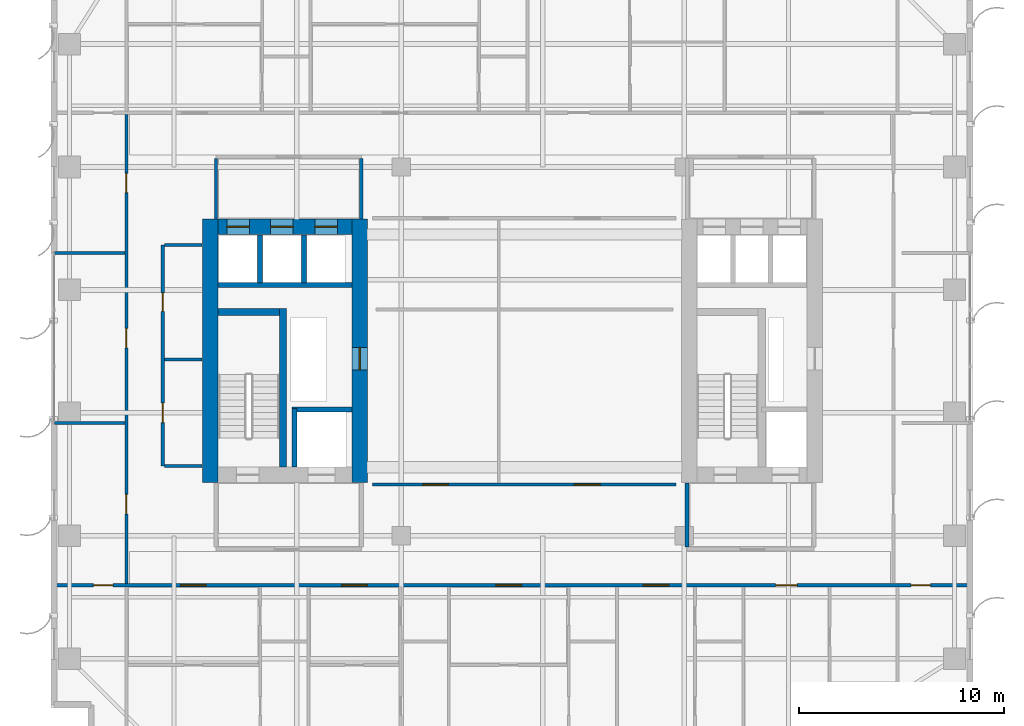
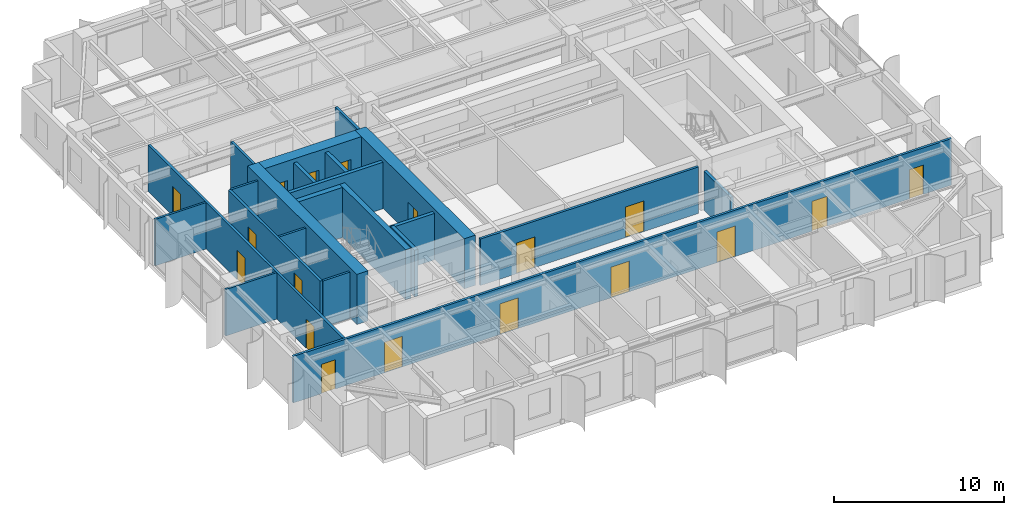
# One storey, part 14 of 22: 22 walls, 18 doors, 18 openings.
"""IFC4 building model written with IfcOpenShell, lengths in metres."""

from ifc_helpers import new_model, si_unit, direction, frame, frame_2d, origin, place, context, subcontext, project, spatial, rectangle, extrude, source, transform, mapped, material, layer, layer_set, type_object, element, fill, save


model = new_model("IFC4")

# Units and contexts
model_context = context("Model", 3, precision=1e-05, world=origin(), true_north=direction((0.0, 1.0)))
body_context = subcontext(model_context, "Body", "Model", "MODEL_VIEW")
ifc_project = project(units=[si_unit("LENGTHUNIT", "METRE"), si_unit("AREAUNIT", "SQUARE_METRE"), si_unit("VOLUMEUNIT", "CUBIC_METRE"), si_unit("PLANEANGLEUNIT", "RADIAN"), si_unit("MASSUNIT", "GRAM", prefix="KILO")], contexts=[model_context])

# Site, building, storey
site_placement = place(None, origin())
site = spatial("IfcSite", under=ifc_project, at=site_placement, CompositionType="ELEMENT")
building_placement = place(site_placement, origin())
building = spatial("IfcBuilding", under=site, at=building_placement, Name="Khoralis Quay Care Tower", CompositionType="ELEMENT")
storey_placement = place(building_placement, frame((0.0, 0.0, 101.699951171875)))
storey = spatial("IfcBuildingStorey", under=building, at=storey_placement, Name="L26", CompositionType="ELEMENT", Elevation=101.699951171875)

# Walls
ifc_material_1 = material(Name="Gypsum plasterboard on acoustic metal stud")
ifc_layer_1 = layer(ifc_material_1, 0.199951171875)
ifc_layer_set_1 = layer_set([ifc_layer_1], Name="Gypsum plasterboard on acoustic metal stud")
wall_type_1 = type_object("IfcWallType", Name="WL-COMP-200", PredefinedType="PARTITIONING", material=ifc_layer_set_1)
wall_1_placement = place(storey_placement, frame((31.050048828125, 11.445068359375, 0.0), z_axis=(0.0, 0.0, 1.0), x_axis=(0.0, 1.0, 0.0)))
element("IfcWall", 1, at=wall_1_placement, inside=storey, type_object=wall_type_1, Name="L26 East Firefighting Lobby West Wall", PredefinedType="PARTITIONING", context=body_context, shape_type="SweptSolid", body=[
    extrude(rectangle(XDim=3.135009765625, YDim=0.199951171875, at=frame_2d((1.5673828125, 0.0))), origin(), (0.0, 0.0, 1.0), 2.796142578125),
])
ifc_material_2 = material(Name="Concrete C80/95", Category="concrete")
ifc_layer_2 = layer(ifc_material_2, 0.75)
ifc_layer_set_2 = layer_set([ifc_layer_2], Name="Concrete C80/95")
wall_type_2 = type_object("IfcWallType", Name="WL-CORE-750", PredefinedType="SHEAR", material=ifc_layer_set_2)
wall_2_placement = place(storey_placement, frame((7.77490234375, 14.60009765625, 0.0), z_axis=(0.0, 0.0, 1.0), x_axis=(0.0, 1.0, 0.0)))
element("IfcWall", 2, at=wall_2_placement, inside=storey, type_object=wall_type_2, Name="L26 WCORE West Shear Wall", PredefinedType="SHEAR", context=body_context, shape_type="SweptSolid", body=[
    extrude(rectangle(XDim=12.849853515625, YDim=0.75, at=frame_2d((6.4248046875, 0.0))), origin(), (0.0, 0.0, 1.0), 3.60009765625),
])

# Wall, opening, door
wall_3_placement = place(storey_placement, frame((15.074951171875, 14.60009765625, 0.0), z_axis=(0.0, 0.0, 1.0), x_axis=(0.0, 1.0, 0.0)))
wall_3 = element("IfcWall", 3, at=wall_3_placement, inside=storey, type_object=wall_type_2, Name="L26 WCORE East Shear Wall", PredefinedType="SHEAR", context=body_context, shape_type="SweptSolid", body=[
    extrude(rectangle(XDim=12.849853515625, YDim=0.75, at=frame_2d((6.4248046875, 0.0))), origin(), (0.0, 0.0, 1.0), 3.60009765625),
])
opening_1_placement = place(wall_3_placement, frame((5.5, 0.0, 0.0)))
opening_1 = element("IfcOpeningElement", 4, at=opening_1_placement, cuts=wall_3, Name="Opening SD1", PredefinedType="OPENING", context=body_context, shape_type="SweptSolid", body=[
    extrude(rectangle(XDim=1.10009765625, YDim=2.199951171875, at=frame_2d((0.550048828125, 1.10009765625))), frame((0.0, 0.385009765625, 0.0), z_axis=(0.0, -1.0, 0.0), x_axis=(1.0, 0.0, 0.0)), (0.0, 0.0, 1.0), 0.77001953125),
])
ifc_material_3 = material(Name="Fire-rated painted steel", Category="steel")
door_type_1 = type_object("IfcDoorType", Name="DR-STAIR-1100X2200", OperationType="NOTDEFINED", PredefinedType="DOOR", material=ifc_material_3)
shared_shape_1 = source(origin(), body_context, "Body", "SweptSolid", [
    extrude(rectangle(XDim=1.10009765625, YDim=2.199951171875, at=frame_2d((0.550048828125, 1.10009765625))), frame((0.0, 0.02490234375, 0.0), z_axis=(0.0, -1.0, 0.0), x_axis=(1.0, 0.0, 0.0)), (0.0, 0.0, 1.0), 0.050048828125),
])
door_1_placement = place(opening_1_placement, origin())
door_1 = element("IfcDoor", 5, at=door_1_placement, inside=storey, type_object=door_type_1, Name="L26 West MEP Riser Door", OperationType="SINGLE_SWING_RIGHT", OverallHeight=2.199951171875, OverallWidth=1.10009765625, PredefinedType="DOOR", context=body_context, shape_type="MappedRepresentation", body=[
    mapped(shared_shape_1, transform((0.0, 0.0, 0.0), scale=1.0)),
])
fill(opening_1, door_1)

# Wall, openings, doors
wall_4_placement = place(storey_placement, frame((8.14990234375, 27.074951171875, 0.0), z_axis=(0.0, 0.0, 1.0), x_axis=(1.0, 0.0, 0.0)))
wall_4 = element("IfcWall", 6, at=wall_4_placement, inside=storey, type_object=wall_type_2, Name="L26 WCORE North Shear Wall", PredefinedType="SHEAR", context=body_context, shape_type="SweptSolid", body=[
    extrude(rectangle(XDim=6.550048828125, YDim=0.75, at=frame_2d((3.27490234375, 0.0))), origin(), (0.0, 0.0, 1.0), 3.60009765625),
])
opening_2_placement = place(wall_4_placement, frame((0.429931640625, 0.0, 0.0)))
opening_2 = element("IfcOpeningElement", 7, at=opening_2_placement, cuts=wall_4, Name="Opening LD1", PredefinedType="OPENING", context=body_context, shape_type="SweptSolid", body=[
    extrude(rectangle(XDim=1.10009765625, YDim=2.199951171875, at=frame_2d((0.550048828125, 1.10009765625))), frame((0.0, 0.385009765625, 0.0), z_axis=(0.0, -1.0, 0.0), x_axis=(1.0, 0.0, 0.0)), (0.0, 0.0, 1.0), 0.77001953125),
])
opening_3_placement = place(wall_4_placement, frame((2.570068359375, 0.0, 0.0)))
opening_3 = element("IfcOpeningElement", 8, at=opening_3_placement, cuts=wall_4, Name="Opening LD1", PredefinedType="OPENING", context=body_context, shape_type="SweptSolid", body=[
    extrude(rectangle(XDim=1.10009765625, YDim=2.199951171875, at=frame_2d((0.550048828125, 1.10009765625))), frame((0.0, 0.385009765625, 0.0), z_axis=(0.0, -1.0, 0.0), x_axis=(1.0, 0.0, 0.0)), (0.0, 0.0, 1.0), 0.77001953125),
])
opening_4_placement = place(wall_4_placement, frame((4.72998046875, 0.0, 0.0)))
opening_4 = element("IfcOpeningElement", 9, at=opening_4_placement, cuts=wall_4, Name="Opening LD1", PredefinedType="OPENING", context=body_context, shape_type="SweptSolid", body=[
    extrude(rectangle(XDim=1.10009765625, YDim=2.199951171875, at=frame_2d((0.550048828125, 1.10009765625))), frame((0.0, 0.385009765625, 0.0), z_axis=(0.0, -1.0, 0.0), x_axis=(1.0, 0.0, 0.0)), (0.0, 0.0, 1.0), 0.77001953125),
])
ifc_material_4 = material(Name="Brushed stainless steel", Category="steel")
door_type_2 = type_object("IfcDoorType", Name="DR-LIFT-1100X2200", OperationType="SLIDING_TO_LEFT", PredefinedType="DOOR", material=ifc_material_4)
shared_shape_2 = source(origin(), body_context, "Body", "SweptSolid", [
    extrude(rectangle(XDim=1.10009765625, YDim=2.199951171875, at=frame_2d((0.550048828125, 1.10009765625))), frame((0.0, 0.02490234375, 0.0), z_axis=(0.0, -1.0, 0.0), x_axis=(1.0, 0.0, 0.0)), (0.0, 0.0, 1.0), 0.050048828125),
])
door_2_placement = place(opening_2_placement, origin())
door_2 = element("IfcDoor", 10, at=door_2_placement, inside=storey, type_object=door_type_2, Name="L26 Lift PLL1 Landing Door", OperationType="SLIDING_TO_LEFT", OverallHeight=2.199951171875, OverallWidth=1.10009765625, PredefinedType="DOOR", context=body_context, shape_type="MappedRepresentation", body=[
    mapped(shared_shape_2, transform((0.0, 0.0, 0.0), scale=1.0)),
])
fill(opening_2, door_2)
door_3_placement = place(opening_3_placement, origin())
door_3 = element("IfcDoor", 11, at=door_3_placement, inside=storey, type_object=door_type_2, Name="L26 Lift PLM1 Landing Door", OperationType="SLIDING_TO_LEFT", OverallHeight=2.199951171875, OverallWidth=1.10009765625, PredefinedType="DOOR", context=body_context, shape_type="MappedRepresentation", body=[
    mapped(shared_shape_2, transform((0.0, 0.0, 0.0), scale=1.0)),
])
fill(opening_3, door_3)
door_4_placement = place(opening_4_placement, origin())
door_4 = element("IfcDoor", 12, at=door_4_placement, inside=storey, type_object=door_type_2, Name="L26 Lift PLH1 Landing Door", OperationType="SLIDING_TO_LEFT", OverallHeight=2.199951171875, OverallWidth=1.10009765625, PredefinedType="DOOR", context=body_context, shape_type="MappedRepresentation", body=[
    mapped(shared_shape_2, transform((0.0, 0.0, 0.0), scale=1.0)),
])
fill(opening_4, door_4)

# Walls
ifc_layer_3 = layer(ifc_material_1, 0.1650390625)
ifc_layer_set_3 = layer_set([ifc_layer_3], Name="Gypsum plasterboard on acoustic metal stud")
wall_type_3 = type_object("IfcWallType", Name="WL-CORR-165", PredefinedType="PARTITIONING", material=ifc_layer_set_3)
for number, where, z_axis, x_axis, name in (
    (13, (8.050048828125, 27.469970703125, 0.0), (0.0, 0.0, 1.0), (0.0, 1.0, 0.0), "L26 West Lift Lobby West Wall"),
    (14, (15.14990234375, 27.469970703125, 0.0), (0.0, 0.0, 1.0), (0.0, 1.0, 0.0), "L26 West Lift Lobby East Wall"),
):
    element("IfcWall", number, at=place(storey_placement, frame(where, z_axis=z_axis, x_axis=x_axis)), inside=storey, type_object=wall_type_3, Name=name, PredefinedType="PARTITIONING", context=body_context, shape_type="SweptSolid", body=[
        extrude(rectangle(XDim=2.95263671875, YDim=0.1650390625, at=frame_2d((1.476318359375, 0.0))), origin(), (0.0, 0.0, 1.0), 3.340087890625),
    ])

# Wall, openings, doors
wall_5_placement = place(storey_placement, frame((5.449951171875, 15.39990234375, 0.0), z_axis=(0.0, 0.0, 1.0), x_axis=(0.0, 1.0, 0.0)))
wall_5 = element("IfcWall", 15, at=wall_5_placement, inside=storey, type_object=wall_type_3, Name="L26 West Core Service Flank Wall", PredefinedType="PARTITIONING", context=body_context, shape_type="SweptSolid", body=[
    extrude(rectangle(XDim=10.800048828125, YDim=0.1650390625, at=frame_2d((5.39990234375, 0.0))), origin(), (0.0, 0.0, 1.0), 3.340087890625),
])
opening_5_placement = place(wall_5_placement, frame((2.125, 0.0, 0.0)))
opening_5 = element("IfcOpeningElement", 16, at=opening_5_placement, cuts=wall_5, Name="Opening ID1", PredefinedType="OPENING", context=body_context, shape_type="SweptSolid", body=[
    extrude(rectangle(XDim=0.949951171875, YDim=2.10009765625, at=frame_2d((0.47509765625, 1.050048828125))), frame((0.0, 0.092529296875, 0.0), z_axis=(0.0, -1.0, 0.0), x_axis=(1.0, 0.0, 0.0)), (0.0, 0.0, 1.0), 0.18505859375),
])
opening_6_placement = place(wall_5_placement, frame((7.550048828125, 0.0, 0.0)))
opening_6 = element("IfcOpeningElement", 17, at=opening_6_placement, cuts=wall_5, Name="Opening WD1", PredefinedType="OPENING", context=body_context, shape_type="SweptSolid", body=[
    extrude(rectangle(XDim=0.89990234375, YDim=2.10009765625, at=frame_2d((0.449951171875, 1.050048828125))), frame((0.0, 0.092529296875, 0.0), z_axis=(0.0, -1.0, 0.0), x_axis=(1.0, 0.0, 0.0)), (0.0, 0.0, 1.0), 0.18505859375),
])
ifc_material_5 = material(Name="Acoustic hardwood timber", Category="wood")
door_type_3 = type_object("IfcDoorType", Name="DR-BATH-900X2100", OperationType="NOTDEFINED", PredefinedType="DOOR", material=ifc_material_5)
shared_shape_3 = source(origin(), body_context, "Body", "SweptSolid", [
    extrude(rectangle(XDim=0.89990234375, YDim=2.10009765625, at=frame_2d((0.449951171875, 1.050048828125))), frame((0.0, 0.02490234375, 0.0), z_axis=(0.0, -1.0, 0.0), x_axis=(1.0, 0.0, 0.0)), (0.0, 0.0, 1.0), 0.050048828125),
])
door_5_placement = place(opening_6_placement, frame((0.89990234375, 0.0, 0.0), z_axis=(0.0, 0.0, 1.0), x_axis=(-1.0, 0.0, 0.0)))
door_5 = element("IfcDoor", 18, at=door_5_placement, inside=storey, type_object=door_type_3, Name="L26 Public Accessible WC Door", OperationType="SINGLE_SWING_RIGHT", OverallHeight=2.10009765625, OverallWidth=0.89990234375, PredefinedType="DOOR", context=body_context, shape_type="MappedRepresentation", body=[
    mapped(shared_shape_3, transform((0.0, 0.0, 0.0), scale=1.0)),
])
fill(opening_6, door_5)
door_type_4 = type_object("IfcDoorType", Name="DR-ROOM-950X2100", OperationType="NOTDEFINED", PredefinedType="DOOR", material=ifc_material_5)
shared_shape_4 = source(origin(), body_context, "Body", "SweptSolid", [
    extrude(rectangle(XDim=0.949951171875, YDim=2.10009765625, at=frame_2d((0.47509765625, 1.050048828125))), frame((0.0, 0.02490234375, 0.0), z_axis=(0.0, -1.0, 0.0), x_axis=(1.0, 0.0, 0.0)), (0.0, 0.0, 1.0), 0.050048828125),
])
door_6_placement = place(opening_5_placement, frame((0.949951171875, 0.0, 0.0), z_axis=(0.0, 0.0, 1.0), x_axis=(-1.0, 0.0, 0.0)))
door_6 = element("IfcDoor", 19, at=door_6_placement, inside=storey, type_object=door_type_4, Name="L26 Housekeeping Linen Store Door", OperationType="SINGLE_SWING_LEFT", OverallHeight=2.10009765625, OverallWidth=0.949951171875, PredefinedType="DOOR", context=body_context, shape_type="MappedRepresentation", body=[
    mapped(shared_shape_4, transform((0.0, 0.0, 0.0), scale=1.0)),
])
fill(opening_5, door_6)

wall_6_placement = place(storey_placement, frame((0.14501953125, 9.580078125, 0.0), z_axis=(0.0, 0.0, 1.0), x_axis=(1.0, 0.0, 0.0)))
wall_6 = element("IfcWall", 20, at=wall_6_placement, inside=storey, type_object=wall_type_3, Name="L26 South Main Corridor Wall", PredefinedType="PARTITIONING", context=body_context, shape_type="SweptSolid", body=[
    extrude(rectangle(XDim=44.7099609375, YDim=0.1650390625, at=frame_2d((22.35498046875, 0.0))), origin(), (0.0, 0.0, 1.0), 3.340087890625),
])
opening_7_placement = place(wall_6_placement, frame((6.175048828125, 0.0, 0.0)))
opening_7 = element("IfcOpeningElement", 21, at=opening_7_placement, cuts=wall_6, Name="Opening CD1", PredefinedType="OPENING", context=body_context, shape_type="SweptSolid", body=[
    extrude(rectangle(XDim=1.25, YDim=2.199951171875, at=frame_2d((0.625, 1.10009765625))), frame((0.0, 0.092529296875, 0.0), z_axis=(0.0, -1.0, 0.0), x_axis=(1.0, 0.0, 0.0)), (0.0, 0.0, 1.0), 0.18505859375),
])
opening_8_placement = place(wall_6_placement, frame((14.0400390625, 0.0, 0.0)))
opening_8 = element("IfcOpeningElement", 22, at=opening_8_placement, cuts=wall_6, Name="Opening CD1", PredefinedType="OPENING", context=body_context, shape_type="SweptSolid", body=[
    extrude(rectangle(XDim=1.25, YDim=2.199951171875, at=frame_2d((0.625, 1.10009765625))), frame((0.0, 0.092529296875, 0.0), z_axis=(0.0, -1.0, 0.0), x_axis=(1.0, 0.0, 0.0)), (0.0, 0.0, 1.0), 0.18505859375),
])
opening_9_placement = place(wall_6_placement, frame((21.570068359375, 0.0, 0.0)))
opening_9 = element("IfcOpeningElement", 23, at=opening_9_placement, cuts=wall_6, Name="Opening CD1", PredefinedType="OPENING", context=body_context, shape_type="SweptSolid", body=[
    extrude(rectangle(XDim=1.25, YDim=2.199951171875, at=frame_2d((0.625, 1.10009765625))), frame((0.0, 0.092529296875, 0.0), z_axis=(0.0, -1.0, 0.0), x_axis=(1.0, 0.0, 0.0)), (0.0, 0.0, 1.0), 0.18505859375),
])
opening_10_placement = place(wall_6_placement, frame((28.760009765625, 0.0, 0.0)))
opening_10 = element("IfcOpeningElement", 24, at=opening_10_placement, cuts=wall_6, Name="Opening CD1", PredefinedType="OPENING", context=body_context, shape_type="SweptSolid", body=[
    extrude(rectangle(XDim=1.25, YDim=2.199951171875, at=frame_2d((0.625, 1.10009765625))), frame((0.0, 0.092529296875, 0.0), z_axis=(0.0, -1.0, 0.0), x_axis=(1.0, 0.0, 0.0)), (0.0, 0.0, 1.0), 0.18505859375),
])
opening_11_placement = place(wall_6_placement, frame((35.228515625, 0.0, 0.0)))
opening_11 = element("IfcOpeningElement", 25, at=opening_11_placement, cuts=wall_6, Name="Opening UD1", PredefinedType="OPENING", context=body_context, shape_type="SweptSolid", body=[
    extrude(rectangle(XDim=1.050048828125, YDim=2.14990234375, at=frame_2d((0.52490234375, 1.074951171875))), frame((0.0, 0.092529296875, 0.0), z_axis=(0.0, -1.0, 0.0), x_axis=(1.0, 0.0, 0.0)), (0.0, 0.0, 1.0), 0.18505859375),
])
opening_12_placement = place(wall_6_placement, frame((1.919921875, 0.0, 0.0)))
opening_12 = element("IfcOpeningElement", 26, at=opening_12_placement, cuts=wall_6, Name="Opening ID1", PredefinedType="OPENING", context=body_context, shape_type="SweptSolid", body=[
    extrude(rectangle(XDim=0.949951171875, YDim=2.10009765625, at=frame_2d((0.47509765625, 1.050048828125))), frame((0.0, 0.092529296875, 0.0), z_axis=(0.0, -1.0, 0.0), x_axis=(1.0, 0.0, 0.0)), (0.0, 0.0, 1.0), 0.18505859375),
])
opening_13_placement = place(wall_6_placement, frame((41.840087890625, 0.0, 0.0)))
opening_13 = element("IfcOpeningElement", 27, at=opening_13_placement, cuts=wall_6, Name="Opening ID1", PredefinedType="OPENING", context=body_context, shape_type="SweptSolid", body=[
    extrude(rectangle(XDim=0.949951171875, YDim=2.10009765625, at=frame_2d((0.47509765625, 1.050048828125))), frame((0.0, 0.092529296875, 0.0), z_axis=(0.0, -1.0, 0.0), x_axis=(1.0, 0.0, 0.0)), (0.0, 0.0, 1.0), 0.18505859375),
])
door_type_5 = type_object("IfcDoorType", Name="DR-CARE-1250X2200", OperationType="NOTDEFINED", PredefinedType="DOOR", material=ifc_material_5)
shared_shape_5 = source(origin(), body_context, "Body", "SweptSolid", [
    extrude(rectangle(XDim=1.25, YDim=2.199951171875, at=frame_2d((0.625, 1.10009765625))), frame((0.0, 0.02490234375, 0.0), z_axis=(0.0, -1.0, 0.0), x_axis=(1.0, 0.0, 0.0)), (0.0, 0.0, 1.0), 0.050048828125),
])
door_7_placement = place(opening_7_placement, frame((1.25, 0.0, 0.0), z_axis=(0.0, 0.0, 1.0), x_axis=(-1.0, 0.0, 0.0)))
door_7 = element("IfcDoor", 28, at=door_7_placement, inside=storey, type_object=door_type_5, Name="L26 Care Suite SB0 Clinical Door", OperationType="SINGLE_SWING_RIGHT", OverallHeight=2.199951171875, OverallWidth=1.25, PredefinedType="DOOR", context=body_context, shape_type="MappedRepresentation", body=[
    mapped(shared_shape_5, transform((0.0, 0.0, 0.0), scale=1.0)),
])
fill(opening_7, door_7)
door_8_placement = place(opening_8_placement, frame((1.25, 0.0, 0.0), z_axis=(0.0, 0.0, 1.0), x_axis=(-1.0, 0.0, 0.0)))
door_8 = element("IfcDoor", 29, at=door_8_placement, inside=storey, type_object=door_type_5, Name="L26 Care Suite SB1 Clinical Door", OperationType="SINGLE_SWING_LEFT", OverallHeight=2.199951171875, OverallWidth=1.25, PredefinedType="DOOR", context=body_context, shape_type="MappedRepresentation", body=[
    mapped(shared_shape_5, transform((0.0, 0.0, 0.0), scale=1.0)),
])
fill(opening_8, door_8)
door_9_placement = place(opening_9_placement, frame((1.25, 0.0, 0.0), z_axis=(0.0, 0.0, 1.0), x_axis=(-1.0, 0.0, 0.0)))
door_9 = element("IfcDoor", 30, at=door_9_placement, inside=storey, type_object=door_type_5, Name="L26 Care Suite SB2 Clinical Door", OperationType="SINGLE_SWING_RIGHT", OverallHeight=2.199951171875, OverallWidth=1.25, PredefinedType="DOOR", context=body_context, shape_type="MappedRepresentation", body=[
    mapped(shared_shape_5, transform((0.0, 0.0, 0.0), scale=1.0)),
])
fill(opening_9, door_9)
door_10_placement = place(opening_10_placement, frame((1.25, 0.0, 0.0), z_axis=(0.0, 0.0, 1.0), x_axis=(-1.0, 0.0, 0.0)))
door_10 = element("IfcDoor", 31, at=door_10_placement, inside=storey, type_object=door_type_5, Name="L26 Care Suite SB3 Clinical Door", OperationType="SINGLE_SWING_LEFT", OverallHeight=2.199951171875, OverallWidth=1.25, PredefinedType="DOOR", context=body_context, shape_type="MappedRepresentation", body=[
    mapped(shared_shape_5, transform((0.0, 0.0, 0.0), scale=1.0)),
])
fill(opening_10, door_10)
door_11_placement = place(opening_12_placement, frame((0.949951171875, 0.0, 0.0), z_axis=(0.0, 0.0, 1.0), x_axis=(-1.0, 0.0, 0.0)))
door_11 = element("IfcDoor", 32, at=door_11_placement, inside=storey, type_object=door_type_4, Name="L26 SW Corner Door", OperationType="SINGLE_SWING_LEFT", OverallHeight=2.10009765625, OverallWidth=0.949951171875, PredefinedType="DOOR", context=body_context, shape_type="MappedRepresentation", body=[
    mapped(shared_shape_4, transform((0.0, 0.0, 0.0), scale=1.0)),
])
fill(opening_12, door_11)
door_12_placement = place(opening_13_placement, frame((0.949951171875, 0.0, 0.0), z_axis=(0.0, 0.0, 1.0), x_axis=(-1.0, 0.0, 0.0)))
door_12 = element("IfcDoor", 33, at=door_12_placement, inside=storey, type_object=door_type_4, Name="L26 SE Corner Door", OperationType="SINGLE_SWING_RIGHT", OverallHeight=2.10009765625, OverallWidth=0.949951171875, PredefinedType="DOOR", context=body_context, shape_type="MappedRepresentation", body=[
    mapped(shared_shape_4, transform((0.0, 0.0, 0.0), scale=1.0)),
])
fill(opening_13, door_12)
door_type_6 = type_object("IfcDoorType", Name="DR-SUITE-1050X2150", OperationType="NOTDEFINED", PredefinedType="DOOR", material=ifc_material_5)
shared_shape_6 = source(origin(), body_context, "Body", "SweptSolid", [
    extrude(rectangle(XDim=1.050048828125, YDim=2.14990234375, at=frame_2d((0.52490234375, 1.074951171875))), frame((0.0, 0.02490234375, 0.0), z_axis=(0.0, -1.0, 0.0), x_axis=(1.0, 0.0, 0.0)), (0.0, 0.0, 1.0), 0.050048828125),
])
door_13_placement = place(opening_11_placement, frame((1.050048828125, 0.0, 0.0), z_axis=(0.0, 0.0, 1.0), x_axis=(-1.0, 0.0, 0.0)))
door_13 = element("IfcDoor", 34, at=door_13_placement, inside=storey, type_object=door_type_6, Name="L26 Studio SB4 Entrance", OperationType="SINGLE_SWING_RIGHT", OverallHeight=2.14990234375, OverallWidth=1.050048828125, PredefinedType="DOOR", context=body_context, shape_type="MappedRepresentation", body=[
    mapped(shared_shape_6, transform((0.0, 0.0, 0.0), scale=1.0)),
])
fill(opening_11, door_13)

wall_7_placement = place(storey_placement, frame((3.679931640625, 9.657470703125, 0.0), z_axis=(0.0, 0.0, 1.0), x_axis=(0.0, 1.0, 0.0)))
wall_7 = element("IfcWall", 35, at=wall_7_placement, inside=storey, type_object=wall_type_3, Name="L26 West Loop Corridor Wall", PredefinedType="PARTITIONING", context=body_context, shape_type="SweptSolid", body=[
    extrude(rectangle(XDim=22.905029296875, YDim=0.1650390625, at=frame_2d((11.45263671875, 0.0))), origin(), (0.0, 0.0, 1.0), 3.340087890625),
])
opening_14_placement = place(wall_7_placement, frame((3.407470703125, 0.0, 0.0)))
opening_14 = element("IfcOpeningElement", 36, at=opening_14_placement, cuts=wall_7, Name="Opening ID1", PredefinedType="OPENING", context=body_context, shape_type="SweptSolid", body=[
    extrude(rectangle(XDim=0.949951171875, YDim=2.10009765625, at=frame_2d((0.47509765625, 1.050048828125))), frame((0.0, 0.092529296875, 0.0), z_axis=(0.0, -1.0, 0.0), x_axis=(1.0, 0.0, 0.0)), (0.0, 0.0, 1.0), 0.18505859375),
])
opening_15_placement = place(wall_7_placement, frame((11.517578125, 0.0, 0.0)))
opening_15 = element("IfcOpeningElement", 37, at=opening_15_placement, cuts=wall_7, Name="Opening ID1", PredefinedType="OPENING", context=body_context, shape_type="SweptSolid", body=[
    extrude(rectangle(XDim=0.949951171875, YDim=2.10009765625, at=frame_2d((0.47509765625, 1.050048828125))), frame((0.0, 0.092529296875, 0.0), z_axis=(0.0, -1.0, 0.0), x_axis=(1.0, 0.0, 0.0)), (0.0, 0.0, 1.0), 0.18505859375),
])
opening_16_placement = place(wall_7_placement, frame((19.08740234375, 0.0, 0.0)))
opening_16 = element("IfcOpeningElement", 38, at=opening_16_placement, cuts=wall_7, Name="Opening ID1", PredefinedType="OPENING", context=body_context, shape_type="SweptSolid", body=[
    extrude(rectangle(XDim=0.949951171875, YDim=2.10009765625, at=frame_2d((0.47509765625, 1.050048828125))), frame((0.0, 0.092529296875, 0.0), z_axis=(0.0, -1.0, 0.0), x_axis=(1.0, 0.0, 0.0)), (0.0, 0.0, 1.0), 0.18505859375),
])
door_14_placement = place(opening_14_placement, origin())
door_14 = element("IfcDoor", 39, at=door_14_placement, inside=storey, type_object=door_type_4, Name="L26 Therapy Consultation Room Door", OperationType="SINGLE_SWING_LEFT", OverallHeight=2.10009765625, OverallWidth=0.949951171875, PredefinedType="DOOR", context=body_context, shape_type="MappedRepresentation", body=[
    mapped(shared_shape_4, transform((0.0, 0.0, 0.0), scale=1.0)),
])
fill(opening_14, door_14)
door_15_placement = place(opening_15_placement, origin())
door_15 = element("IfcDoor", 40, at=door_15_placement, inside=storey, type_object=door_type_4, Name="L26 Assisted Activity Lounge Door", OperationType="SINGLE_SWING_RIGHT", OverallHeight=2.10009765625, OverallWidth=0.949951171875, PredefinedType="DOOR", context=body_context, shape_type="MappedRepresentation", body=[
    mapped(shared_shape_4, transform((0.0, 0.0, 0.0), scale=1.0)),
])
fill(opening_15, door_15)
door_16_placement = place(opening_16_placement, origin())
door_16 = element("IfcDoor", 41, at=door_16_placement, inside=storey, type_object=door_type_4, Name="L26 Nurse Charting Office Door", OperationType="SINGLE_SWING_LEFT", OverallHeight=2.10009765625, OverallWidth=0.949951171875, PredefinedType="DOOR", context=body_context, shape_type="MappedRepresentation", body=[
    mapped(shared_shape_4, transform((0.0, 0.0, 0.0), scale=1.0)),
])
fill(opening_16, door_16)

wall_8_placement = place(storey_placement, frame((15.699951171875, 14.5, 0.0), z_axis=(0.0, 0.0, 1.0), x_axis=(1.0, 0.0, 0.0)))
wall_8 = element("IfcWall", 42, at=wall_8_placement, inside=storey, type_object=wall_type_3, Name="L26 Central Clinical South Wall", PredefinedType="PARTITIONING", context=body_context, shape_type="SweptSolid", body=[
    extrude(rectangle(XDim=14.800048828125, YDim=0.1650390625, at=frame_2d((7.39990234375, 0.0))), origin(), (0.0, 0.0, 1.0), 3.340087890625),
])
opening_17_placement = place(wall_8_placement, frame((2.449951171875, 0.0, 0.0)))
opening_17 = element("IfcOpeningElement", 43, at=opening_17_placement, cuts=wall_8, Name="Opening CD1", PredefinedType="OPENING", context=body_context, shape_type="SweptSolid", body=[
    extrude(rectangle(XDim=1.25, YDim=2.199951171875, at=frame_2d((0.625, 1.10009765625))), frame((0.0, 0.092529296875, 0.0), z_axis=(0.0, -1.0, 0.0), x_axis=(1.0, 0.0, 0.0)), (0.0, 0.0, 1.0), 0.18505859375),
])
opening_18_placement = place(wall_8_placement, frame((9.85009765625, 0.0, 0.0)))
opening_18 = element("IfcOpeningElement", 44, at=opening_18_placement, cuts=wall_8, Name="Opening CD1", PredefinedType="OPENING", context=body_context, shape_type="SweptSolid", body=[
    extrude(rectangle(XDim=1.25, YDim=2.199951171875, at=frame_2d((0.625, 1.10009765625))), frame((0.0, 0.092529296875, 0.0), z_axis=(0.0, -1.0, 0.0), x_axis=(1.0, 0.0, 0.0)), (0.0, 0.0, 1.0), 0.18505859375),
])
door_17_placement = place(opening_17_placement, origin())
door_17 = element("IfcDoor", 45, at=door_17_placement, inside=storey, type_object=door_type_5, Name="L26 Nurse Station Door", OperationType="SINGLE_SWING_LEFT", OverallHeight=2.199951171875, OverallWidth=1.25, PredefinedType="DOOR", context=body_context, shape_type="MappedRepresentation", body=[
    mapped(shared_shape_5, transform((0.0, 0.0, 0.0), scale=1.0)),
])
fill(opening_17, door_17)
door_18_placement = place(opening_18_placement, origin())
door_18 = element("IfcDoor", 46, at=door_18_placement, inside=storey, type_object=door_type_5, Name="L26 Treatment Clinic Door", OperationType="SINGLE_SWING_RIGHT", OverallHeight=2.199951171875, OverallWidth=1.25, PredefinedType="DOOR", context=body_context, shape_type="MappedRepresentation", body=[
    mapped(shared_shape_5, transform((0.0, 0.0, 0.0), scale=1.0)),
])
fill(opening_18, door_18)

# Walls
ifc_material_6 = material(Name="Moisture-resistant gypsum and ceramic tile")
ifc_layer_4 = layer(ifc_material_6, 0.280029296875)
ifc_layer_set_4 = layer_set([ifc_layer_4], Name="Moisture-resistant gypsum and ceramic tile")
wall_type_4 = type_object("IfcWallType", Name="WL-PLUMB-280", PredefinedType="PLUMBINGWALL", material=ifc_layer_set_4)
wall_9_placement = place(storey_placement, frame((5.527587890625, 20.60009765625, 0.0), z_axis=(0.0, 0.0, 1.0), x_axis=(1.0, 0.0, 0.0)))
element("IfcWall", 47, at=wall_9_placement, inside=storey, type_object=wall_type_4, Name="L26 West Flank Divider 1", PredefinedType="PLUMBINGWALL", context=body_context, shape_type="SweptSolid", body=[
    extrude(rectangle(XDim=1.83251953125, YDim=0.139892578125, at=frame_2d((0.916259765625, 0.0))), origin(), (0.0, 0.0, 1.0), 3.340087890625),
])
ifc_material_7 = material(Name="Concrete C40/50", Category="concrete")
ifc_layer_5 = layer(ifc_material_7, 0.35009765625)
ifc_layer_set_5 = layer_set([ifc_layer_5], Name="Concrete C40/50")
wall_type_5 = type_object("IfcWallType", Name="WL-SC-CORE-350", PredefinedType="SHEAR", material=ifc_layer_set_5)
wall_10_placement = place(storey_placement, frame((11.324951171875, 15.35009765625, 0.0), z_axis=(0.0, 0.0, 1.0), x_axis=(0.0, 1.0, 0.0)))
element("IfcWall", 48, at=wall_10_placement, inside=storey, type_object=wall_type_5, Name="L26 Stair ST-T1 Shear Baffle Wall East", PredefinedType="SHEAR", context=body_context, shape_type="SweptSolid", body=[
    extrude(rectangle(XDim=7.75, YDim=0.35009765625, at=frame_2d((3.875, 0.0))), origin(), (0.0, 0.0, 1.0), 3.60009765625),
])
wall_11_placement = place(storey_placement, frame((8.14990234375, 22.925048828125, 0.0), z_axis=(0.0, 0.0, 1.0), x_axis=(1.0, 0.0, 0.0)))
element("IfcWall", 49, at=wall_11_placement, inside=storey, type_object=wall_type_5, Name="L26 Stair ST-T1 Shear Baffle Wall North", PredefinedType="SHEAR", context=body_context, shape_type="SweptSolid", body=[
    extrude(rectangle(XDim=3.0, YDim=0.35009765625, at=frame_2d((1.5, 0.0))), origin(), (0.0, 0.0, 1.0), 3.60009765625),
])
ifc_layer_6 = layer(ifc_material_1, 0.239990234375)
ifc_layer_set_6 = layer_set([ifc_layer_6], Name="Gypsum plasterboard on acoustic metal stud")
wall_type_6 = type_object("IfcWallType", Name="WL-SHAFT-240", PredefinedType="PARTITIONING", material=ifc_layer_set_6)
wall_12_placement = place(storey_placement, frame((11.8798828125, 15.35009765625, 0.0), z_axis=(0.0, 0.0, 1.0), x_axis=(0.0, 1.0, 0.0)))
element("IfcWall", 50, at=wall_12_placement, inside=storey, type_object=wall_type_6, Name="L26 FFL-1 Shaft Wall West", PredefinedType="PARTITIONING", context=body_context, shape_type="SweptSolid", body=[
    extrude(rectangle(XDim=2.849853515625, YDim=0.239990234375, at=frame_2d((1.4248046875, 0.0))), origin(), (0.0, 0.0, 1.0), 3.340087890625),
])
wall_13_placement = place(storey_placement, frame((11.760009765625, 18.169921875, 0.0), z_axis=(0.0, 0.0, 1.0), x_axis=(1.0, 0.0, 0.0)))
element("IfcWall", 51, at=wall_13_placement, inside=storey, type_object=wall_type_6, Name="L26 FFL-1 Shaft Wall North", PredefinedType="PARTITIONING", context=body_context, shape_type="SweptSolid", body=[
    extrude(rectangle(XDim=2.919921875, YDim=0.239990234375, at=frame_2d((1.4599609375, 0.0))), origin(), (0.0, 0.0, 1.0), 3.340087890625),
])
wall_14_placement = place(storey_placement, frame((8.14990234375, 24.22998046875, 0.0), z_axis=(0.0, 0.0, 1.0), x_axis=(1.0, 0.0, 0.0)))
element("IfcWall", 52, at=wall_14_placement, inside=storey, type_object=wall_type_6, Name="L26 West Passenger Shaft South Wall", PredefinedType="PARTITIONING", context=body_context, shape_type="SweptSolid", body=[
    extrude(rectangle(XDim=6.530029296875, YDim=0.239990234375, at=frame_2d((3.26513671875, 0.0))), origin(), (0.0, 0.0, 1.0), 3.340087890625),
])
for number, where, z_axis, x_axis, name in (
    (53, (10.199951171875, 24.344970703125, 0.0), (0.0, 0.0, 1.0), (0.0, 1.0, 0.0), "L26 West Shaft Divider 1"),
    (54, (12.35009765625, 24.344970703125, 0.0), (0.0, 0.0, 1.0), (0.0, 1.0, 0.0), "L26 West Shaft Divider 2"),
):
    element("IfcWall", number, at=place(storey_placement, frame(where, z_axis=z_axis, x_axis=x_axis)), inside=storey, type_object=wall_type_6, Name=name, PredefinedType="PARTITIONING", context=body_context, shape_type="SweptSolid", body=[
        extrude(rectangle(XDim=2.3349609375, YDim=0.239990234375, at=frame_2d((1.16748046875, 0.0))), origin(), (0.0, 0.0, 1.0), 3.340087890625),
    ])
ifc_layer_7 = layer(ifc_material_1, 0.139892578125)
ifc_layer_set_7 = layer_set([ifc_layer_7], Name="Gypsum plasterboard on acoustic metal stud")
wall_type_7 = type_object("IfcWallType", Name="WL-UNIT-140", PredefinedType="PARTITIONING", material=ifc_layer_set_7)
for number, where, z_axis, x_axis, name in (
    (55, (5.527587890625, 15.39990234375, 0.0), (0.0, 0.0, 1.0), (1.0, 0.0, 0.0), "L26 West Flank South Cap"),
    (56, (5.527587890625, 26.199951171875, 0.0), (0.0, 0.0, 1.0), (1.0, 0.0, 0.0), "L26 West Flank North Cap"),
):
    element("IfcWall", number, at=place(storey_placement, frame(where, z_axis=z_axis, x_axis=x_axis)), inside=storey, type_object=wall_type_7, Name=name, PredefinedType="PARTITIONING", context=body_context, shape_type="SweptSolid", body=[
        extrude(rectangle(XDim=1.83251953125, YDim=0.139892578125, at=frame_2d((0.916259765625, 0.0))), origin(), (0.0, 0.0, 1.0), 3.340087890625),
    ])
for number, where, z_axis, x_axis, name in (
    (57, (0.14501953125, 17.5, 0.0), (0.0, 0.0, 1.0), (1.0, 0.0, 0.0), "L26 WW Divider 1"),
    (58, (0.14501953125, 25.800048828125, 0.0), (0.0, 0.0, 1.0), (1.0, 0.0, 0.0), "L26 WW Divider 2"),
):
    element("IfcWall", number, at=place(storey_placement, frame(where, z_axis=z_axis, x_axis=x_axis)), inside=storey, type_object=wall_type_7, Name=name, PredefinedType="PARTITIONING", context=body_context, shape_type="SweptSolid", body=[
        extrude(rectangle(XDim=3.45751953125, YDim=0.139892578125, at=frame_2d((1.728759765625, 0.0))), origin(), (0.0, 0.0, 1.0), 3.340087890625),
    ])

save(model, "model.ifc")
